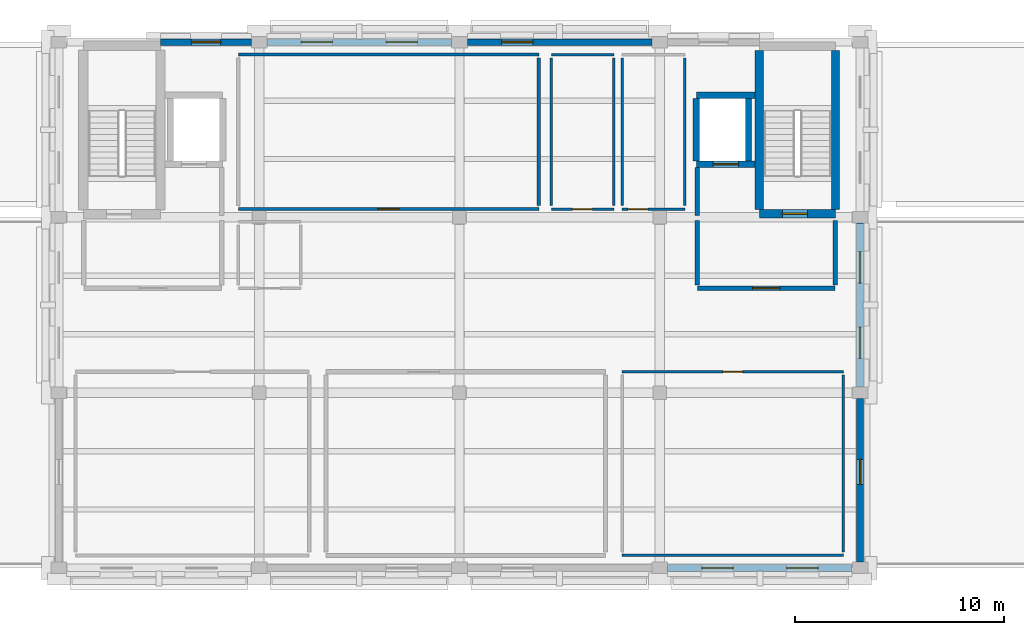
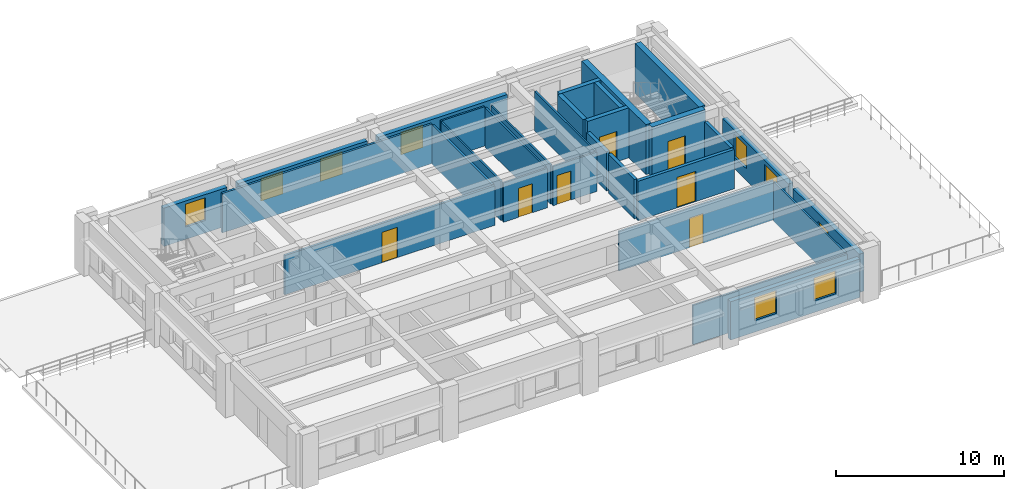
# One storey, part 3 of 7: 30 walls, 8 doors, 8 windows, 16 openings.
"""IFC4 building model written with IfcOpenShell, lengths in metres."""

from ifc_helpers import new_model, si_unit, direction, frame, frame_2d, origin, place, context, subcontext, project, spatial, rectangle, extrude, material, layer, layer_set, type_object, element, fill, save


model = new_model("IFC4")

# Units and contexts
model_context = context("Model", 3, precision=1e-05, world=origin(), true_north=direction((0.0, 1.0)))
body_context = subcontext(model_context, "Body", "Model", "MODEL_VIEW")
ifc_project = project(units=[si_unit("LENGTHUNIT", "METRE"), si_unit("AREAUNIT", "SQUARE_METRE"), si_unit("VOLUMEUNIT", "CUBIC_METRE"), si_unit("PLANEANGLEUNIT", "RADIAN"), si_unit("MASSUNIT", "GRAM", prefix="KILO")], contexts=[model_context])

# Site, building, storey
site_placement = place(None, origin())
site = spatial("IfcSite", under=ifc_project, at=site_placement, CompositionType="ELEMENT")
building_placement = place(site_placement, origin())
building = spatial("IfcBuilding", under=site, at=building_placement, Name="Bempovik Park Faculty of Sciences", CompositionType="ELEMENT")
storey_placement = place(building_placement, frame((0.0, 0.0, 38.39990234375)))
storey = spatial("IfcBuildingStorey", under=building, at=storey_placement, Name="L09", CompositionType="ELEMENT", Elevation=38.39990234375)

# Wall
ifc_material_1 = material(Name="Gypsum acoustic stud assembly")
ifc_layer_1 = layer(ifc_material_1, 0.1201171875)
ifc_layer_set_1 = layer_set([ifc_layer_1], Name="Gypsum acoustic stud assembly")
wall_type_1 = type_object("IfcWallType", Name="W-17 Wall 120mm", PredefinedType="PARTITIONING", material=ifc_layer_set_1)
wall_1_placement = place(storey_placement, frame((96.60009765625, 94.800048828125, 0.0), z_axis=(0.0, 0.0, 1.0), x_axis=(1.0, 0.0, 0.0)))
element("IfcWall", 1, at=wall_1_placement, inside=storey, type_object=wall_type_1, Name="L09 East Terrace Faculty Offices Partition South", PredefinedType="PARTITIONING", context=body_context, shape_type="SweptSolid", body=[
    extrude(rectangle(XDim=10.599853515625, YDim=0.1201171875, at=frame_2d((5.2998046875, 0.0))), origin(), (0.0, 0.0, 1.0), 2.85009765625),
])

# Wall, opening, door
wall_2_placement = place(storey_placement, frame((96.60009765625, 103.60009765625, 0.0), z_axis=(0.0, 0.0, 1.0), x_axis=(1.0, 0.0, 0.0)))
wall_2 = element("IfcWall", 2, at=wall_2_placement, inside=storey, type_object=wall_type_1, Name="L09 East Terrace Faculty Offices Partition North", PredefinedType="PARTITIONING", context=body_context, shape_type="SweptSolid", body=[
    extrude(rectangle(XDim=10.599853515625, YDim=0.1201171875, at=frame_2d((5.2998046875, 0.0))), origin(), (0.0, 0.0, 1.0), 2.85009765625),
])
opening_1_placement = place(wall_2_placement, frame((4.824951171875, 0.0, 0.0)))
opening_1 = element("IfcOpeningElement", 3, at=opening_1_placement, cuts=wall_2, Name="Opening D-47", PredefinedType="OPENING", context=body_context, shape_type="SweptSolid", body=[
    extrude(rectangle(XDim=0.949951171875, YDim=2.14990234375, at=frame_2d((0.47509765625, 1.074951171875))), frame((0.0, 0.070068359375, 0.0), z_axis=(0.0, -1.0, 0.0), x_axis=(1.0, 0.0, 0.0)), (0.0, 0.0, 1.0), 0.14013671875),
])
ifc_material_2 = material(Name="West African hardwood finish", Category="wood")
door_type_1 = type_object("IfcDoorType", Name="D-47 Door 950x2150", OperationType="NOTDEFINED", PredefinedType="DOOR", material=ifc_material_2)
door_1_placement = place(opening_1_placement, origin())
door_1 = element("IfcDoor", 4, at=door_1_placement, inside=storey, type_object=door_type_1, Name="L09 East Terrace Faculty Offices Door", OperationType="SINGLE_SWING_RIGHT", OverallHeight=2.14990234375, OverallWidth=0.949951171875, PredefinedType="DOOR", context=body_context, shape_type="SweptSolid", body=[
    extrude(rectangle(XDim=0.949951171875, YDim=2.14990234375, at=frame_2d((0.47509765625, 1.074951171875))), frame((0.0, 0.02490234375, 0.0), z_axis=(0.0, -1.0, 0.0), x_axis=(1.0, 0.0, 0.0)), (0.0, 0.0, 1.0), 0.050048828125),
])
fill(opening_1, door_1)

# Wall
wall_3_placement = place(storey_placement, frame((107.199951171875, 94.9599609375, 0.0), z_axis=(0.0, 0.0, 1.0), x_axis=(0.0, 1.0, 0.0)))
element("IfcWall", 5, at=wall_3_placement, inside=storey, type_object=wall_type_1, Name="L09 East Terrace Faculty Offices Partition East", PredefinedType="PARTITIONING", context=body_context, shape_type="SweptSolid", body=[
    extrude(rectangle(XDim=8.47998046875, YDim=0.1201171875, at=frame_2d((4.239990234375, 0.0))), origin(), (0.0, 0.0, 1.0), 2.85009765625),
])

# Wall, opening, door
wall_4_placement = place(storey_placement, frame((93.199951171875, 111.39990234375, 0.0), z_axis=(0.0, 0.0, 1.0), x_axis=(1.0, 0.0, 0.0)))
wall_4 = element("IfcWall", 6, at=wall_4_placement, inside=storey, type_object=wall_type_1, Name="L09 L09 Male WC Partition South", PredefinedType="PARTITIONING", context=body_context, shape_type="SweptSolid", body=[
    extrude(rectangle(XDim=3.0, YDim=0.1201171875, at=frame_2d((1.5, 0.0))), origin(), (0.0, 0.0, 1.0), 2.85009765625),
])
opening_2_placement = place(wall_4_placement, frame((1.02490234375, 0.0, 0.0)))
opening_2 = element("IfcOpeningElement", 7, at=opening_2_placement, cuts=wall_4, Name="Opening D-56", PredefinedType="OPENING", context=body_context, shape_type="SweptSolid", body=[
    extrude(rectangle(XDim=0.949951171875, YDim=2.10009765625, at=frame_2d((0.47509765625, 1.050048828125))), frame((0.0, 0.070068359375, 0.0), z_axis=(0.0, -1.0, 0.0), x_axis=(1.0, 0.0, 0.0)), (0.0, 0.0, 1.0), 0.14013671875),
])
door_type_2 = type_object("IfcDoorType", Name="D-56 Door 950x2100", OperationType="NOTDEFINED", PredefinedType="DOOR", material=ifc_material_2)
door_2_placement = place(opening_2_placement, origin())
door_2 = element("IfcDoor", 8, at=door_2_placement, inside=storey, type_object=door_type_2, Name="L09 L09 Male WC Door", OperationType="SINGLE_SWING_RIGHT", OverallHeight=2.10009765625, OverallWidth=0.949951171875, PredefinedType="DOOR", context=body_context, shape_type="SweptSolid", body=[
    extrude(rectangle(XDim=0.949951171875, YDim=2.10009765625, at=frame_2d((0.47509765625, 1.050048828125))), frame((0.0, 0.02490234375, 0.0), z_axis=(0.0, -1.0, 0.0), x_axis=(1.0, 0.0, 0.0)), (0.0, 0.0, 1.0), 0.050048828125),
])
fill(opening_2, door_2)

# Walls
wall_5_placement = place(storey_placement, frame((93.199951171875, 118.800048828125, 0.0), z_axis=(0.0, 0.0, 1.0), x_axis=(1.0, 0.0, 0.0)))
element("IfcWall", 9, at=wall_5_placement, inside=storey, type_object=wall_type_1, Name="L09 L09 Male WC Partition North", PredefinedType="PARTITIONING", context=body_context, shape_type="SweptSolid", body=[
    extrude(rectangle(XDim=3.0, YDim=0.1201171875, at=frame_2d((1.5, 0.0))), origin(), (0.0, 0.0, 1.0), 2.85009765625),
])
for number, where, z_axis, x_axis, name in (
    (10, (93.199951171875, 111.56005859375, 0.0), (0.0, 0.0, 1.0), (0.0, 1.0, 0.0), "L09 L09 Male WC Partition West"),
    (11, (96.199951171875, 111.56005859375, 0.0), (0.0, 0.0, 1.0), (0.0, 1.0, 0.0), "L09 L09 Male WC Partition East"),
):
    element("IfcWall", number, at=place(storey_placement, frame(where, z_axis=z_axis, x_axis=x_axis)), inside=storey, type_object=wall_type_1, Name=name, PredefinedType="PARTITIONING", context=body_context, shape_type="SweptSolid", body=[
        extrude(rectangle(XDim=7.079833984375, YDim=0.1201171875, at=frame_2d((3.5400390625, 0.0))), origin(), (0.0, 0.0, 1.0), 2.85009765625),
    ])

# Wall, opening, door
wall_6_placement = place(storey_placement, frame((96.60009765625, 111.39990234375, 0.0), z_axis=(0.0, 0.0, 1.0), x_axis=(1.0, 0.0, 0.0)))
wall_6 = element("IfcWall", 12, at=wall_6_placement, inside=storey, type_object=wall_type_1, Name="L09 L09 Female WC Partition South", PredefinedType="PARTITIONING", context=body_context, shape_type="SweptSolid", body=[
    extrude(rectangle(XDim=3.0, YDim=0.1201171875, at=frame_2d((1.5, 0.0))), origin(), (0.0, 0.0, 1.0), 2.85009765625),
])
opening_3_placement = place(wall_6_placement, frame((0.27490234375, 0.0, 0.0)))
opening_3 = element("IfcOpeningElement", 13, at=opening_3_placement, cuts=wall_6, Name="Opening D-56", PredefinedType="OPENING", context=body_context, shape_type="SweptSolid", body=[
    extrude(rectangle(XDim=0.949951171875, YDim=2.10009765625, at=frame_2d((0.47509765625, 1.050048828125))), frame((0.0, 0.070068359375, 0.0), z_axis=(0.0, -1.0, 0.0), x_axis=(1.0, 0.0, 0.0)), (0.0, 0.0, 1.0), 0.14013671875),
])
door_3_placement = place(opening_3_placement, origin())
door_3 = element("IfcDoor", 14, at=door_3_placement, inside=storey, type_object=door_type_2, Name="L09 L09 Female WC Door", OperationType="SINGLE_SWING_LEFT", OverallHeight=2.10009765625, OverallWidth=0.949951171875, PredefinedType="DOOR", context=body_context, shape_type="SweptSolid", body=[
    extrude(rectangle(XDim=0.949951171875, YDim=2.10009765625, at=frame_2d((0.47509765625, 1.050048828125))), frame((0.0, 0.02490234375, 0.0), z_axis=(0.0, -1.0, 0.0), x_axis=(1.0, 0.0, 0.0)), (0.0, 0.0, 1.0), 0.050048828125),
])
fill(opening_3, door_3)

# Walls
for number, where, z_axis, x_axis, name in (
    (15, (96.60009765625, 111.56005859375, 0.0), (0.0, 0.0, 1.0), (0.0, 1.0, 0.0), "L09 L09 Female WC Partition West"),
    (16, (99.60009765625, 111.56005859375, 0.0), (0.0, 0.0, 1.0), (0.0, 1.0, 0.0), "L09 L09 Female WC Partition East"),
):
    element("IfcWall", number, at=place(storey_placement, frame(where, z_axis=z_axis, x_axis=x_axis)), inside=storey, type_object=wall_type_1, Name=name, PredefinedType="PARTITIONING", context=body_context, shape_type="SweptSolid", body=[
        extrude(rectangle(XDim=7.079833984375, YDim=0.1201171875, at=frame_2d((3.5400390625, 0.0))), origin(), (0.0, 0.0, 1.0), 2.85009765625),
    ])

# Wall, opening, door
ifc_material_3 = material(Name="Concrete C40/50", Category="concrete")
ifc_layer_2 = layer(ifc_material_3, 0.300048828125)
ifc_layer_set_2 = layer_set([ifc_layer_2], Name="Concrete C40/50")
wall_type_2 = type_object("IfcWallType", Name="W-31 Wall 300mm", PredefinedType="SHEAR", material=ifc_layer_set_2)
wall_7_placement = place(storey_placement, frame((100.14990234375, 113.550048828125, 0.0), z_axis=(0.0, 0.0, 1.0), x_axis=(1.0, 0.0, 0.0)))
wall_7 = element("IfcWall", 17, at=wall_7_placement, inside=storey, type_object=wall_type_2, Name="Lift LF-2 L09 Shaft Wall South", PredefinedType="SHEAR", context=body_context, shape_type="SweptSolid", body=[
    extrude(rectangle(XDim=2.8251953125, YDim=0.300048828125, at=frame_2d((1.41259765625, 0.0))), origin(), (0.0, 0.0, 1.0), 3.6201171875),
])
opening_4_placement = place(wall_7_placement, frame((0.8125, 0.0, 0.0)))
opening_4 = element("IfcOpeningElement", 18, at=opening_4_placement, cuts=wall_7, Name="Opening LD-01", PredefinedType="OPENING", context=body_context, shape_type="SweptSolid", body=[
    extrude(rectangle(XDim=1.199951171875, YDim=2.199951171875, at=frame_2d((0.60009765625, 1.10009765625))), frame((0.0, 0.16015625, 0.0), z_axis=(0.0, -1.0, 0.0), x_axis=(1.0, 0.0, 0.0)), (0.0, 0.0, 1.0), 0.320068359375),
])
ifc_material_4 = material(Name="Painted steel S355", Category="steel")
door_type_3 = type_object("IfcDoorType", Name="LD-01 Door 1200x2200", OperationType="NOTDEFINED", PredefinedType="DOOR", material=ifc_material_4)
door_4_placement = place(opening_4_placement, origin())
door_4 = element("IfcDoor", 19, at=door_4_placement, inside=storey, type_object=door_type_3, Name="Lift LF-2 L09 Sliding Landing Door", OperationType="SLIDING_TO_LEFT", OverallHeight=2.199951171875, OverallWidth=1.199951171875, PredefinedType="DOOR", context=body_context, shape_type="SweptSolid", body=[
    extrude(rectangle(XDim=1.199951171875, YDim=2.199951171875, at=frame_2d((0.60009765625, 1.10009765625))), frame((0.0, 0.02490234375, 0.0), z_axis=(0.0, -1.0, 0.0), x_axis=(1.0, 0.0, 0.0)), (0.0, 0.0, 1.0), 0.050048828125),
])
fill(opening_4, door_4)

# Walls
wall_8_placement = place(storey_placement, frame((100.14990234375, 116.85009765625, 0.0), z_axis=(0.0, 0.0, 1.0), x_axis=(1.0, 0.0, 0.0)))
element("IfcWall", 20, at=wall_8_placement, inside=storey, type_object=wall_type_2, Name="Lift LF-2 L09 Shaft Wall North", PredefinedType="SHEAR", context=body_context, shape_type="SweptSolid", body=[
    extrude(rectangle(XDim=2.8251953125, YDim=0.300048828125, at=frame_2d((1.41259765625, 0.0))), origin(), (0.0, 0.0, 1.0), 3.6201171875),
])
for number, where, z_axis, x_axis, name in (
    (21, (100.14990234375, 113.699951171875, 0.0), (0.0, 0.0, 1.0), (0.0, 1.0, 0.0), "Lift LF-2 L09 Shaft Wall West"),
    (22, (102.64990234375, 113.699951171875, 0.0), (0.0, 0.0, 1.0), (0.0, 1.0, 0.0), "Lift LF-2 L09 Shaft Wall East"),
):
    element("IfcWall", number, at=place(storey_placement, frame(where, z_axis=z_axis, x_axis=x_axis)), inside=storey, type_object=wall_type_2, Name=name, PredefinedType="SHEAR", context=body_context, shape_type="SweptSolid", body=[
        extrude(rectangle(XDim=3.0, YDim=0.300048828125, at=frame_2d((1.5, 0.0))), origin(), (0.0, 0.0, 1.0), 3.6201171875),
    ])

# Wall, opening, door
ifc_material_5 = material(Name="Concrete C35/45", Category="concrete")
ifc_layer_3 = layer(ifc_material_5, 0.219970703125)
ifc_layer_set_3 = layer_set([ifc_layer_3], Name="Concrete C35/45")
wall_type_3 = type_object("IfcWallType", Name="W-38 Wall 220mm", PredefinedType="PARTITIONING", material=ifc_layer_set_3)
wall_9_placement = place(storey_placement, frame((100.199951171875, 107.60009765625, 0.0), z_axis=(0.0, 0.0, 1.0), x_axis=(1.0, 0.0, 0.0)))
wall_9 = element("IfcWall", 23, at=wall_9_placement, inside=storey, type_object=wall_type_3, Name="L09 Firefighting Lift Lobby East Partition South", PredefinedType="PARTITIONING", context=body_context, shape_type="SweptSolid", body=[
    extrude(rectangle(XDim=6.60009765625, YDim=0.219970703125, at=frame_2d((3.300048828125, 0.0))), origin(), (0.0, 0.0, 1.0), 2.85009765625),
])
opening_5_placement = place(wall_9_placement, frame((2.64990234375, 0.0, 0.0)))
opening_5 = element("IfcOpeningElement", 24, at=opening_5_placement, cuts=wall_9, Name="Opening D-38", PredefinedType="OPENING", context=body_context, shape_type="SweptSolid", body=[
    extrude(rectangle(XDim=1.300048828125, YDim=2.199951171875, at=frame_2d((0.64990234375, 1.10009765625))), frame((0.0, 0.1201171875, 0.0), z_axis=(0.0, -1.0, 0.0), x_axis=(1.0, 0.0, 0.0)), (0.0, 0.0, 1.0), 0.239990234375),
])
door_type_4 = type_object("IfcDoorType", Name="D-38 Door 1300x2200", OperationType="NOTDEFINED", PredefinedType="DOOR", material=ifc_material_4)
door_5_placement = place(opening_5_placement, origin())
door_5 = element("IfcDoor", 25, at=door_5_placement, inside=storey, type_object=door_type_4, Name="L09 Firefighting Lift Lobby East Door", OperationType="SINGLE_SWING_LEFT", OverallHeight=2.199951171875, OverallWidth=1.300048828125, PredefinedType="DOOR", context=body_context, shape_type="SweptSolid", body=[
    extrude(rectangle(XDim=1.300048828125, YDim=2.199951171875, at=frame_2d((0.64990234375, 1.10009765625))), frame((0.0, 0.02490234375, 0.0), z_axis=(0.0, -1.0, 0.0), x_axis=(1.0, 0.0, 0.0)), (0.0, 0.0, 1.0), 0.050048828125),
])
fill(opening_5, door_5)

# Walls
wall_10_placement = place(storey_placement, frame((100.199951171875, 111.080078125, 0.0), z_axis=(0.0, 0.0, 1.0), x_axis=(0.0, 1.0, 0.0)))
element("IfcWall", 26, at=wall_10_placement, inside=storey, type_object=wall_type_3, Name="L09 Firefighting Lobby East Lift Link Wall", PredefinedType="PARTITIONING", context=body_context, shape_type="SweptSolid", body=[
    extrude(rectangle(XDim=2.31982421875, YDim=0.219970703125, at=frame_2d((1.159912109375, 0.0))), origin(), (0.0, 0.0, 1.0), 2.85009765625),
])
for number, where, z_axis, x_axis, name in (
    (27, (100.199951171875, 107.760009765625, 0.0), (0.0, 0.0, 1.0), (0.0, 1.0, 0.0), "L09 Firefighting Lift Lobby East Partition West"),
    (28, (106.800048828125, 107.760009765625, 0.0), (0.0, 0.0, 1.0), (0.0, 1.0, 0.0), "L09 Firefighting Lift Lobby East Partition East"),
):
    element("IfcWall", number, at=place(storey_placement, frame(where, z_axis=z_axis, x_axis=x_axis)), inside=storey, type_object=wall_type_3, Name=name, PredefinedType="PARTITIONING", context=body_context, shape_type="SweptSolid", body=[
        extrude(rectangle(XDim=3.080078125, YDim=0.219970703125, at=frame_2d((1.5400390625, 0.0))), origin(), (0.0, 0.0, 1.0), 2.85009765625),
    ])

# Wall, opening, door
ifc_layer_4 = layer(ifc_material_1, 0.14990234375)
ifc_layer_set_4 = layer_set([ifc_layer_4], Name="Gypsum acoustic stud assembly")
wall_type_4 = type_object("IfcWallType", Name="W-42 Wall 150mm", PredefinedType="PARTITIONING", material=ifc_layer_set_4)
wall_11_placement = place(storey_placement, frame((78.199951171875, 111.39990234375, 0.0), z_axis=(0.0, 0.0, 1.0), x_axis=(1.0, 0.0, 0.0)))
wall_11 = element("IfcWall", 29, at=wall_11_placement, inside=storey, type_object=wall_type_4, Name="L09 Energy Systems Seminar Room Partition South", PredefinedType="PARTITIONING", context=body_context, shape_type="SweptSolid", body=[
    extrude(rectangle(XDim=14.400146484375, YDim=0.14990234375, at=frame_2d((7.2001953125, 0.0))), origin(), (0.0, 0.0, 1.0), 2.85009765625),
])
opening_6_placement = place(wall_11_placement, frame((6.675048828125, 0.0, 0.0)))
opening_6 = element("IfcOpeningElement", 30, at=opening_6_placement, cuts=wall_11, Name="Opening D-16", PredefinedType="OPENING", context=body_context, shape_type="SweptSolid", body=[
    extrude(rectangle(XDim=1.050048828125, YDim=2.199951171875, at=frame_2d((0.52490234375, 1.10009765625))), frame((0.0, 0.0849609375, 0.0), z_axis=(0.0, -1.0, 0.0), x_axis=(1.0, 0.0, 0.0)), (0.0, 0.0, 1.0), 0.169921875),
])
door_type_5 = type_object("IfcDoorType", Name="D-16 Door 1050x2200", OperationType="NOTDEFINED", PredefinedType="DOOR", material=ifc_material_2)
door_6_placement = place(opening_6_placement, origin())
door_6 = element("IfcDoor", 31, at=door_6_placement, inside=storey, type_object=door_type_5, Name="L09 Energy Systems Seminar Room Door", OperationType="SINGLE_SWING_LEFT", OverallHeight=2.199951171875, OverallWidth=1.050048828125, PredefinedType="DOOR", context=body_context, shape_type="SweptSolid", body=[
    extrude(rectangle(XDim=1.050048828125, YDim=2.199951171875, at=frame_2d((0.52490234375, 1.10009765625))), frame((0.0, 0.02490234375, 0.0), z_axis=(0.0, -1.0, 0.0), x_axis=(1.0, 0.0, 0.0)), (0.0, 0.0, 1.0), 0.050048828125),
])
fill(opening_6, door_6)

# Walls
wall_12_placement = place(storey_placement, frame((78.199951171875, 118.800048828125, 0.0), z_axis=(0.0, 0.0, 1.0), x_axis=(1.0, 0.0, 0.0)))
element("IfcWall", 32, at=wall_12_placement, inside=storey, type_object=wall_type_4, Name="L09 Energy Systems Seminar Room Partition North", PredefinedType="PARTITIONING", context=body_context, shape_type="SweptSolid", body=[
    extrude(rectangle(XDim=14.400146484375, YDim=0.14990234375, at=frame_2d((7.2001953125, 0.0))), origin(), (0.0, 0.0, 1.0), 2.85009765625),
])
wall_13_placement = place(storey_placement, frame((92.60009765625, 111.56005859375, 0.0), z_axis=(0.0, 0.0, 1.0), x_axis=(0.0, 1.0, 0.0)))
element("IfcWall", 33, at=wall_13_placement, inside=storey, type_object=wall_type_4, Name="L09 Energy Systems Seminar Room Partition East", PredefinedType="PARTITIONING", context=body_context, shape_type="SweptSolid", body=[
    extrude(rectangle(XDim=7.079833984375, YDim=0.14990234375, at=frame_2d((3.5400390625, 0.0))), origin(), (0.0, 0.0, 1.0), 2.85009765625),
])

# Wall, opening, door
ifc_layer_5 = layer(ifc_material_3, 0.39990234375)
ifc_layer_set_5 = layer_set([ifc_layer_5], Name="Concrete C40/50")
wall_type_5 = type_object("IfcWallType", Name="W-47 Wall 400mm", PredefinedType="SHEAR", material=ifc_layer_set_5)
wall_14_placement = place(storey_placement, frame((103.175048828125, 111.175048828125, 0.0), z_axis=(0.0, 0.0, 1.0), x_axis=(1.0, 0.0, 0.0)))
wall_14 = element("IfcWall", 34, at=wall_14_placement, inside=storey, type_object=wall_type_5, Name="ST-2 L09 Core Shear Wall South", PredefinedType="SHEAR", context=body_context, shape_type="SweptSolid", body=[
    extrude(rectangle(XDim=3.64990234375, YDim=0.39990234375, at=frame_2d((1.824951171875, 0.0))), origin(), (0.0, 0.0, 1.0), 3.6201171875),
])
opening_7_placement = place(wall_14_placement, frame((1.10009765625, 0.0, 0.0)))
opening_7 = element("IfcOpeningElement", 35, at=opening_7_placement, cuts=wall_14, Name="Opening D-49", PredefinedType="OPENING", context=body_context, shape_type="SweptSolid", body=[
    extrude(rectangle(XDim=1.199951171875, YDim=2.199951171875, at=frame_2d((0.60009765625, 1.10009765625))), frame((0.0, 0.2099609375, 0.0), z_axis=(0.0, -1.0, 0.0), x_axis=(1.0, 0.0, 0.0)), (0.0, 0.0, 1.0), 0.419921875),
])
door_type_6 = type_object("IfcDoorType", Name="D-49 Door 1200x2200", OperationType="NOTDEFINED", PredefinedType="DOOR", material=ifc_material_4)
door_7_placement = place(opening_7_placement, origin())
door_7 = element("IfcDoor", 36, at=door_7_placement, inside=storey, type_object=door_type_6, Name="ST-2 L09 Protected Stair Smoke Door", OperationType="SINGLE_SWING_LEFT", OverallHeight=2.199951171875, OverallWidth=1.199951171875, PredefinedType="DOOR", context=body_context, shape_type="SweptSolid", body=[
    extrude(rectangle(XDim=1.199951171875, YDim=2.199951171875, at=frame_2d((0.60009765625, 1.10009765625))), frame((0.0, 0.02490234375, 0.0), z_axis=(0.0, -1.0, 0.0), x_axis=(1.0, 0.0, 0.0)), (0.0, 0.0, 1.0), 0.050048828125),
])
fill(opening_7, door_7)

# Walls
for number, where, z_axis, x_axis, name in (
    (37, (103.175048828125, 111.375, 0.0), (0.0, 0.0, 1.0), (0.0, 1.0, 0.0), "ST-2 L09 Core Shear Wall West"),
    (38, (106.824951171875, 111.375, 0.0), (0.0, 0.0, 1.0), (0.0, 1.0, 0.0), "ST-2 L09 Core Shear Wall East"),
):
    element("IfcWall", number, at=place(storey_placement, frame(where, z_axis=z_axis, x_axis=x_axis)), inside=storey, type_object=wall_type_5, Name=name, PredefinedType="SHEAR", context=body_context, shape_type="SweptSolid", body=[
        extrude(rectangle(XDim=7.625, YDim=0.39990234375, at=frame_2d((3.8125, 0.0))), origin(), (0.0, 0.0, 1.0), 3.6201171875),
    ])

# Wall, opening, door
ifc_material_6 = material(Name="Precast concrete C40/50", Category="concrete")
ifc_layer_6 = layer(ifc_material_6, 0.320068359375)
ifc_layer_set_6 = layer_set([ifc_layer_6], Name="Precast concrete C40/50")
wall_type_6 = type_object("IfcWallType", Name="W-56 Wall 320mm", PredefinedType="SOLIDWALL", material=ifc_layer_set_6)
wall_15_placement = place(storey_placement, frame((108.0, 94.47705078125, 0.0), z_axis=(0.0, 0.0, 1.0), x_axis=(0.0, 1.0, 0.0)))
wall_15 = element("IfcWall", 39, at=wall_15_placement, inside=storey, type_object=wall_type_6, Name="L09 Classical Precast Facade Wall EW-L09-11001", PredefinedType="SOLIDWALL", context=body_context, shape_type="SweptSolid", body=[
    extrude(rectangle(XDim=7.845947265625, YDim=0.320068359375, at=frame_2d((3.9228515625, 0.0))), origin(), (0.0, 0.0, 1.0), 2.780029296875),
])
opening_8_placement = place(wall_15_placement, frame((3.722900390625, 0.0, 0.0)))
opening_8 = element("IfcOpeningElement", 40, at=opening_8_placement, cuts=wall_15, Name="Opening D-34", PredefinedType="OPENING", context=body_context, shape_type="SweptSolid", body=[
    extrude(rectangle(XDim=1.199951171875, YDim=2.199951171875, at=frame_2d((0.60009765625, 1.10009765625))), frame((0.0, 0.169921875, 0.0), z_axis=(0.0, -1.0, 0.0), x_axis=(1.0, 0.0, 0.0)), (0.0, 0.0, 1.0), 0.340087890625),
])
ifc_material_7 = material(Name="Anodised architectural bronze")
door_type_7 = type_object("IfcDoorType", Name="D-34 Door 1200x2200", OperationType="NOTDEFINED", PredefinedType="DOOR", material=ifc_material_7)
door_8_placement = place(opening_8_placement, frame((1.199951171875, 0.0, 0.0), z_axis=(0.0, 0.0, 1.0), x_axis=(-1.0, 0.0, 0.0)))
door_8 = element("IfcDoor", 41, at=door_8_placement, inside=storey, type_object=door_type_7, Name="L09 East Research Setback Terrace Door", OperationType="SINGLE_SWING_RIGHT", OverallHeight=2.199951171875, OverallWidth=1.199951171875, PredefinedType="DOOR", context=body_context, shape_type="SweptSolid", body=[
    extrude(rectangle(XDim=1.199951171875, YDim=2.199951171875, at=frame_2d((0.60009765625, 1.10009765625))), frame((0.0, 0.02490234375, 0.0), z_axis=(0.0, -1.0, 0.0), x_axis=(1.0, 0.0, 0.0)), (0.0, 0.0, 1.0), 0.050048828125),
])
fill(opening_8, door_8)

# Wall, openings, windows
wall_16_placement = place(storey_placement, frame((108.0, 102.876953125, 0.0), z_axis=(0.0, 0.0, 1.0), x_axis=(0.0, 1.0, 0.0)))
wall_16 = element("IfcWall", 42, at=wall_16_placement, inside=storey, type_object=wall_type_6, Name="L09 Classical Precast Facade Wall EW-L09-11005", PredefinedType="SOLIDWALL", context=body_context, shape_type="SweptSolid", body=[
    extrude(rectangle(XDim=7.845947265625, YDim=0.320068359375, at=frame_2d((3.9228515625, 0.0))), origin(), (0.0, 0.0, 1.0), 2.780029296875),
])
opening_9_placement = place(wall_16_placement, frame((1.368408203125, 0.0, 0.85009765625)))
opening_9 = element("IfcOpeningElement", 43, at=opening_9_placement, cuts=wall_16, Name="Opening WN-46", PredefinedType="OPENING", context=body_context, shape_type="SweptSolid", body=[
    extrude(rectangle(XDim=1.5, YDim=1.64990234375, at=frame_2d((0.75, 0.824951171875))), frame((0.0, 0.169921875, 0.0), z_axis=(0.0, -1.0, 0.0), x_axis=(1.0, 0.0, 0.0)), (0.0, 0.0, 1.0), 0.340087890625),
])
opening_10_placement = place(wall_16_placement, frame((4.9775390625, 0.0, 0.85009765625)))
opening_10 = element("IfcOpeningElement", 44, at=opening_10_placement, cuts=wall_16, Name="Opening WN-46", PredefinedType="OPENING", context=body_context, shape_type="SweptSolid", body=[
    extrude(rectangle(XDim=1.5, YDim=1.64990234375, at=frame_2d((0.75, 0.824951171875))), frame((0.0, 0.169921875, 0.0), z_axis=(0.0, -1.0, 0.0), x_axis=(1.0, 0.0, 0.0)), (0.0, 0.0, 1.0), 0.340087890625),
])
ifc_material_8 = material(Name="Tempered laminated low-E glass", Category="glass")
window_type_1 = type_object("IfcWindowType", Name="WN-46 Window 1500x1650", PartitioningType="SINGLE_PANEL", PredefinedType="WINDOW", material=ifc_material_8)
window_1_placement = place(opening_9_placement, origin())
window_1 = element("IfcWindow", 45, at=window_1_placement, inside=storey, type_object=window_type_1, Name="L09 Window EW-L09-11005-1", OverallHeight=1.64990234375, OverallWidth=1.5, PartitioningType="SINGLE_PANEL", PredefinedType="WINDOW", context=body_context, shape_type="SweptSolid", body=[
    extrude(rectangle(XDim=1.5, YDim=1.64990234375, at=frame_2d((0.75, 0.824951171875))), frame((0.0, 0.030029296875, 0.0), z_axis=(0.0, -1.0, 0.0), x_axis=(1.0, 0.0, 0.0)), (0.0, 0.0, 1.0), 0.06005859375),
])
fill(opening_9, window_1)
window_2_placement = place(opening_10_placement, origin())
window_2 = element("IfcWindow", 46, at=window_2_placement, inside=storey, type_object=window_type_1, Name="L09 Window EW-L09-11005-2", OverallHeight=1.64990234375, OverallWidth=1.5, PartitioningType="SINGLE_PANEL", PredefinedType="WINDOW", context=body_context, shape_type="SweptSolid", body=[
    extrude(rectangle(XDim=1.5, YDim=1.64990234375, at=frame_2d((0.75, 0.824951171875))), frame((0.0, 0.030029296875, 0.0), z_axis=(0.0, -1.0, 0.0), x_axis=(1.0, 0.0, 0.0)), (0.0, 0.0, 1.0), 0.06005859375),
])
fill(opening_10, window_2)

# Wall, opening, window
wall_17_placement = place(storey_placement, frame((74.47607421875, 119.39990234375, 0.0), z_axis=(0.0, 0.0, 1.0), x_axis=(1.0, 0.0, 0.0)))
wall_17 = element("IfcWall", 47, at=wall_17_placement, inside=storey, type_object=wall_type_6, Name="L09 Classical Precast Facade Wall EW-L09-11029", PredefinedType="SOLIDWALL", context=body_context, shape_type="SweptSolid", body=[
    extrude(rectangle(XDim=4.346923828125, YDim=0.320068359375, at=frame_2d((2.17333984375, 0.0))), origin(), (0.0, 0.0, 1.0), 2.780029296875),
])
opening_11_placement = place(wall_17_placement, frame((1.473388671875, 0.0, 0.89990234375)))
opening_11 = element("IfcOpeningElement", 48, at=opening_11_placement, cuts=wall_17, Name="Opening WN-84", PredefinedType="OPENING", context=body_context, shape_type="SweptSolid", body=[
    extrude(rectangle(XDim=1.39990234375, YDim=1.64990234375, at=frame_2d((0.699951171875, 0.824951171875))), frame((0.0, 0.169921875, 0.0), z_axis=(0.0, -1.0, 0.0), x_axis=(1.0, 0.0, 0.0)), (0.0, 0.0, 1.0), 0.340087890625),
])
window_type_2 = type_object("IfcWindowType", Name="WN-84 Window 1400x1650", PartitioningType="SINGLE_PANEL", PredefinedType="WINDOW", material=ifc_material_8)
window_3_placement = place(opening_11_placement, origin())
window_3 = element("IfcWindow", 49, at=window_3_placement, inside=storey, type_object=window_type_2, Name="L09 Stairwell Classical Lancet Window EW-L09-11029", OverallHeight=1.64990234375, OverallWidth=1.39990234375, PartitioningType="SINGLE_PANEL", PredefinedType="WINDOW", context=body_context, shape_type="SweptSolid", body=[
    extrude(rectangle(XDim=1.39990234375, YDim=1.64990234375, at=frame_2d((0.699951171875, 0.824951171875))), frame((0.0, 0.030029296875, 0.0), z_axis=(0.0, -1.0, 0.0), x_axis=(1.0, 0.0, 0.0)), (0.0, 0.0, 1.0), 0.06005859375),
])
fill(opening_11, window_3)

# Wall, openings, windows
wall_18_placement = place(storey_placement, frame((79.576904296875, 119.39990234375, 0.0), z_axis=(0.0, 0.0, 1.0), x_axis=(1.0, 0.0, 0.0)))
wall_18 = element("IfcWall", 50, at=wall_18_placement, inside=storey, type_object=wall_type_6, Name="L09 Classical Precast Facade Wall EW-L09-11036", PredefinedType="SOLIDWALL", context=body_context, shape_type="SweptSolid", body=[
    extrude(rectangle(XDim=8.84619140625, YDim=0.320068359375, at=frame_2d((4.423095703125, 0.0))), origin(), (0.0, 0.0, 1.0), 2.780029296875),
])
opening_12_placement = place(wall_18_placement, frame((1.638427734375, 0.0, 0.85009765625)))
opening_12 = element("IfcOpeningElement", 51, at=opening_12_placement, cuts=wall_18, Name="Opening WN-46", PredefinedType="OPENING", context=body_context, shape_type="SweptSolid", body=[
    extrude(rectangle(XDim=1.5, YDim=1.64990234375, at=frame_2d((0.75, 0.824951171875))), frame((0.0, 0.169921875, 0.0), z_axis=(0.0, -1.0, 0.0), x_axis=(1.0, 0.0, 0.0)), (0.0, 0.0, 1.0), 0.340087890625),
])
opening_13_placement = place(wall_18_placement, frame((5.70751953125, 0.0, 0.85009765625)))
opening_13 = element("IfcOpeningElement", 52, at=opening_13_placement, cuts=wall_18, Name="Opening WN-46", PredefinedType="OPENING", context=body_context, shape_type="SweptSolid", body=[
    extrude(rectangle(XDim=1.5, YDim=1.64990234375, at=frame_2d((0.75, 0.824951171875))), frame((0.0, 0.169921875, 0.0), z_axis=(0.0, -1.0, 0.0), x_axis=(1.0, 0.0, 0.0)), (0.0, 0.0, 1.0), 0.340087890625),
])
window_4_placement = place(opening_12_placement, origin())
window_4 = element("IfcWindow", 53, at=window_4_placement, inside=storey, type_object=window_type_1, Name="L09 Window EW-L09-11036-1", OverallHeight=1.64990234375, OverallWidth=1.5, PartitioningType="SINGLE_PANEL", PredefinedType="WINDOW", context=body_context, shape_type="SweptSolid", body=[
    extrude(rectangle(XDim=1.5, YDim=1.64990234375, at=frame_2d((0.75, 0.824951171875))), frame((0.0, 0.030029296875, 0.0), z_axis=(0.0, -1.0, 0.0), x_axis=(1.0, 0.0, 0.0)), (0.0, 0.0, 1.0), 0.06005859375),
])
fill(opening_12, window_4)
window_5_placement = place(opening_13_placement, origin())
window_5 = element("IfcWindow", 54, at=window_5_placement, inside=storey, type_object=window_type_1, Name="L09 Window EW-L09-11036-2", OverallHeight=1.64990234375, OverallWidth=1.5, PartitioningType="SINGLE_PANEL", PredefinedType="WINDOW", context=body_context, shape_type="SweptSolid", body=[
    extrude(rectangle(XDim=1.5, YDim=1.64990234375, at=frame_2d((0.75, 0.824951171875))), frame((0.0, 0.030029296875, 0.0), z_axis=(0.0, -1.0, 0.0), x_axis=(1.0, 0.0, 0.0)), (0.0, 0.0, 1.0), 0.06005859375),
])
fill(opening_13, window_5)

# Wall, opening, window
wall_19_placement = place(storey_placement, frame((89.177001953125, 119.39990234375, 0.0), z_axis=(0.0, 0.0, 1.0), x_axis=(1.0, 0.0, 0.0)))
wall_19 = element("IfcWall", 55, at=wall_19_placement, inside=storey, type_object=wall_type_6, Name="L09 Classical Precast Facade Wall EW-L09-11048", PredefinedType="SOLIDWALL", context=body_context, shape_type="SweptSolid", body=[
    extrude(rectangle(XDim=8.845947265625, YDim=0.320068359375, at=frame_2d((4.4228515625, 0.0))), origin(), (0.0, 0.0, 1.0), 2.780029296875),
])
opening_14_placement = place(wall_19_placement, frame((1.638427734375, 0.0, 0.85009765625)))
opening_14 = element("IfcOpeningElement", 56, at=opening_14_placement, cuts=wall_19, Name="Opening WN-46", PredefinedType="OPENING", context=body_context, shape_type="SweptSolid", body=[
    extrude(rectangle(XDim=1.5, YDim=1.64990234375, at=frame_2d((0.75, 0.824951171875))), frame((0.0, 0.169921875, 0.0), z_axis=(0.0, -1.0, 0.0), x_axis=(1.0, 0.0, 0.0)), (0.0, 0.0, 1.0), 0.340087890625),
])
window_6_placement = place(opening_14_placement, origin())
window_6 = element("IfcWindow", 57, at=window_6_placement, inside=storey, type_object=window_type_1, Name="L09 Window EW-L09-11048-1", OverallHeight=1.64990234375, OverallWidth=1.5, PartitioningType="SINGLE_PANEL", PredefinedType="WINDOW", context=body_context, shape_type="SweptSolid", body=[
    extrude(rectangle(XDim=1.5, YDim=1.64990234375, at=frame_2d((0.75, 0.824951171875))), frame((0.0, 0.030029296875, 0.0), z_axis=(0.0, -1.0, 0.0), x_axis=(1.0, 0.0, 0.0)), (0.0, 0.0, 1.0), 0.06005859375),
])
fill(opening_14, window_6)

# Wall, openings, windows
wall_20_placement = place(storey_placement, frame((98.777099609375, 94.199951171875, 0.0), z_axis=(0.0, 0.0, 1.0), x_axis=(1.0, 0.0, 0.0)))
wall_20 = element("IfcWall", 58, at=wall_20_placement, inside=storey, type_object=wall_type_6, Name="L09 Classical Precast Facade Wall EW-L09-11125", PredefinedType="SOLIDWALL", context=body_context, shape_type="SweptSolid", body=[
    extrude(rectangle(XDim=8.845947265625, YDim=0.320068359375, at=frame_2d((4.4228515625, 0.0))), origin(), (0.0, 0.0, 1.0), 2.780029296875),
])
opening_15_placement = place(wall_20_placement, frame((1.638427734375, 0.0, 0.85009765625)))
opening_15 = element("IfcOpeningElement", 59, at=opening_15_placement, cuts=wall_20, Name="Opening WN-46", PredefinedType="OPENING", context=body_context, shape_type="SweptSolid", body=[
    extrude(rectangle(XDim=1.5, YDim=1.64990234375, at=frame_2d((0.75, 0.824951171875))), frame((0.0, 0.169921875, 0.0), z_axis=(0.0, -1.0, 0.0), x_axis=(1.0, 0.0, 0.0)), (0.0, 0.0, 1.0), 0.340087890625),
])
opening_16_placement = place(wall_20_placement, frame((5.70751953125, 0.0, 0.85009765625)))
opening_16 = element("IfcOpeningElement", 60, at=opening_16_placement, cuts=wall_20, Name="Opening WN-46", PredefinedType="OPENING", context=body_context, shape_type="SweptSolid", body=[
    extrude(rectangle(XDim=1.5, YDim=1.64990234375, at=frame_2d((0.75, 0.824951171875))), frame((0.0, 0.169921875, 0.0), z_axis=(0.0, -1.0, 0.0), x_axis=(1.0, 0.0, 0.0)), (0.0, 0.0, 1.0), 0.340087890625),
])
window_7_placement = place(opening_15_placement, origin())
window_7 = element("IfcWindow", 61, at=window_7_placement, inside=storey, type_object=window_type_1, Name="L09 Window EW-L09-11125-1", OverallHeight=1.64990234375, OverallWidth=1.5, PartitioningType="SINGLE_PANEL", PredefinedType="WINDOW", context=body_context, shape_type="SweptSolid", body=[
    extrude(rectangle(XDim=1.5, YDim=1.64990234375, at=frame_2d((0.75, 0.824951171875))), frame((0.0, 0.030029296875, 0.0), z_axis=(0.0, -1.0, 0.0), x_axis=(1.0, 0.0, 0.0)), (0.0, 0.0, 1.0), 0.06005859375),
])
fill(opening_15, window_7)
window_8_placement = place(opening_16_placement, origin())
window_8 = element("IfcWindow", 62, at=window_8_placement, inside=storey, type_object=window_type_1, Name="L09 Window EW-L09-11125-2", OverallHeight=1.64990234375, OverallWidth=1.5, PartitioningType="SINGLE_PANEL", PredefinedType="WINDOW", context=body_context, shape_type="SweptSolid", body=[
    extrude(rectangle(XDim=1.5, YDim=1.64990234375, at=frame_2d((0.75, 0.824951171875))), frame((0.0, 0.030029296875, 0.0), z_axis=(0.0, -1.0, 0.0), x_axis=(1.0, 0.0, 0.0)), (0.0, 0.0, 1.0), 0.06005859375),
])
fill(opening_16, window_8)

save(model, "model.ifc")
